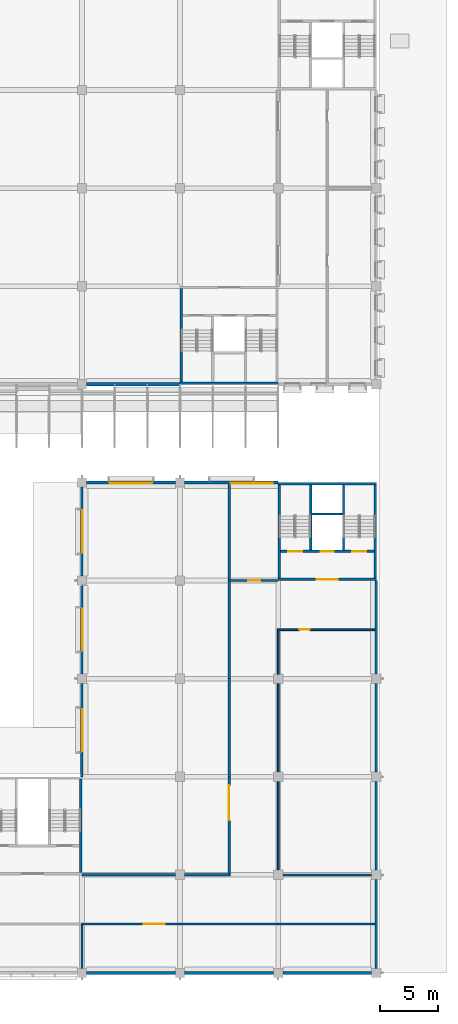
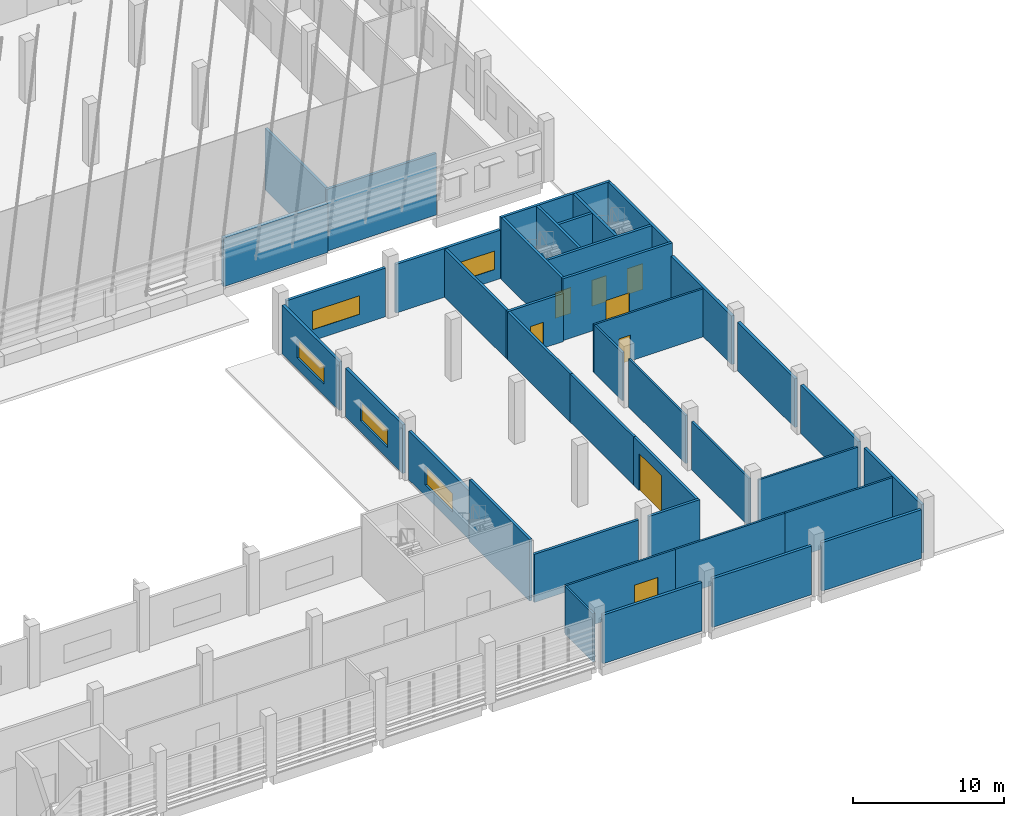
# One storey, part 39 of 101: 40 walls, 8 doors, 5 windows, 13 openings.
"""IFC4 building model written with IfcOpenShell, lengths in metres."""

from ifc_helpers import new_model, si_unit, direction, frame, frame_2d, origin, place, context, subcontext, project, spatial, rectangle, extrude, material, layer, layer_set, type_object, element, fill, save


model = new_model("IFC4")

# Units and contexts
model_context = context("Model", 3, precision=1e-05, world=origin(), true_north=direction((0.0, 1.0)))
body_context = subcontext(model_context, "Body", "Model", "MODEL_VIEW")
ifc_project = project(units=[si_unit("LENGTHUNIT", "METRE"), si_unit("AREAUNIT", "SQUARE_METRE"), si_unit("VOLUMEUNIT", "CUBIC_METRE"), si_unit("PLANEANGLEUNIT", "RADIAN"), si_unit("MASSUNIT", "GRAM", prefix="KILO")], contexts=[model_context])

# Site, building, storey
site_placement = place(None, origin())
site = spatial("IfcSite", under=ifc_project, at=site_placement, CompositionType="ELEMENT")
building_placement = place(site_placement, origin())
building = spatial("IfcBuilding", under=site, at=building_placement, Name="Almond Square Museum", CompositionType="ELEMENT")
storey_placement = place(building_placement, frame((0.0, 0.0, 5.5)))
storey = spatial("IfcBuildingStorey", under=building, at=storey_placement, Name="L01", CompositionType="ELEMENT", Elevation=5.5)

# Walls
ifc_material_1 = material(Name="Concrete C30/37", Category="concrete")
ifc_layer_1 = layer(ifc_material_1, 0.300048828125)
ifc_layer_set_1 = layer_set([ifc_layer_1], Name="Concrete C30/37")
wall_type_1 = type_object("IfcWallType", Name="Cast concrete wall 300 C30/37 behind louvre skin", PredefinedType="SOLIDWALL", material=ifc_layer_set_1)
wall_1_placement = place(storey_placement, frame((132.39990234375, 50.39990234375, 0.0), z_axis=(0.0, 0.0, 1.0), x_axis=(1.0, 0.0, 0.0)))
element("IfcWall", 1, at=wall_1_placement, inside=storey, type_object=wall_type_1, Name="External wall W1 V1 L01 S03", PredefinedType="SOLIDWALL", context=body_context, shape_type="SweptSolid", body=[
    extrude(rectangle(XDim=8.0, YDim=0.300048828125, at=frame_2d((4.0, 0.0))), origin(), (0.0, 0.0, 1.0), 3.93994140625),
])
ifc_material_2 = material(Name="Concrete blockwork 200", Category="masonry")
ifc_layer_2 = layer(ifc_material_2, 0.199951171875)
ifc_layer_set_2 = layer_set([ifc_layer_2], Name="Concrete blockwork 200")
wall_type_2 = type_object("IfcWallType", Name="Fire partition 200 blockwork", PredefinedType="PARTITIONING", material=ifc_layer_set_2)
wall_2_placement = place(storey_placement, frame((144.60009765625, 33.699951171875, 0.0), z_axis=(0.0, 0.0, 1.0), x_axis=(0.0, 1.0, 0.0)))
element("IfcWall", 2, at=wall_2_placement, inside=storey, type_object=wall_type_2, Name="L01 partition 63", PredefinedType="PARTITIONING", context=body_context, shape_type="SweptSolid", body=[
    extrude(rectangle(XDim=8.150146484375, YDim=0.199951171875, at=frame_2d((4.0751953125, 0.0))), origin(), (0.0, 0.0, 1.0), 3.89990234375),
])

# Wall, opening, door
wall_3_placement = place(storey_placement, frame((144.5, 33.60009765625, 0.0), z_axis=(0.0, 0.0, 1.0), x_axis=(1.0, 0.0, 0.0)))
wall_3 = element("IfcWall", 3, at=wall_3_placement, inside=storey, type_object=wall_type_2, Name="L01 partition 64", PredefinedType="PARTITIONING", context=body_context, shape_type="SweptSolid", body=[
    extrude(rectangle(XDim=4.300048828125, YDim=0.199951171875, at=frame_2d((2.14990234375, 0.0))), origin(), (0.0, 0.0, 1.0), 3.89990234375),
])
opening_1_placement = place(wall_3_placement, frame((1.75, 0.0, 0.0)))
opening_1 = element("IfcOpeningElement", 4, at=opening_1_placement, cuts=wall_3, Name="Opening D1119", PredefinedType="OPENING", context=body_context, shape_type="SweptSolid", body=[
    extrude(rectangle(XDim=1.0, YDim=2.10009765625, at=frame_2d((0.5, 1.050048828125))), frame((0.0, 0.10986328125, 0.0), z_axis=(0.0, -1.0, 0.0), x_axis=(1.0, 0.0, 0.0)), (0.0, 0.0, 1.0), 0.219970703125),
])
ifc_material_3 = material(Name="Steel", Category="steel")
door_type_1 = type_object("IfcDoorType", Name="Fire door 1000 x 2100 FD60 single", OperationType="NOTDEFINED", PredefinedType="DOOR", material=ifc_material_3)
door_1_placement = place(opening_1_placement, origin())
door_1 = element("IfcDoor", 5, at=door_1_placement, inside=storey, type_object=door_type_1, Name="L01 door Cleaners' Store 2 to Service Corridor 1", OperationType="SINGLE_SWING_RIGHT", OverallHeight=2.10009765625, OverallWidth=1.0, PredefinedType="DOOR", context=body_context, shape_type="SweptSolid", body=[
    extrude(rectangle(XDim=1.0, YDim=2.10009765625, at=frame_2d((0.5, 1.050048828125))), frame((0.0, 0.02490234375, 0.0), z_axis=(0.0, -1.0, 0.0), x_axis=(1.0, 0.0, 0.0)), (0.0, 0.0, 1.0), 0.050048828125),
])
fill(opening_1, door_1)

wall_4_placement = place(storey_placement, frame((144.60009765625, 8.5, 0.0), z_axis=(0.0, 0.0, 1.0), x_axis=(0.0, 1.0, 0.0)))
wall_4 = element("IfcWall", 6, at=wall_4_placement, inside=storey, type_object=wall_type_2, Name="L01 partition 66", PredefinedType="PARTITIONING", context=body_context, shape_type="SweptSolid", body=[
    extrude(rectangle(XDim=8.300048828125, YDim=0.199951171875, at=frame_2d((4.14990234375, 0.0))), origin(), (0.0, 0.0, 1.0), 3.89990234375),
])
opening_2_placement = place(wall_4_placement, frame((4.574951171875, 0.0, 0.0)))
opening_2 = element("IfcOpeningElement", 7, at=opening_2_placement, cuts=wall_4, Name="Opening D1121", PredefinedType="OPENING", context=body_context, shape_type="SweptSolid", body=[
    extrude(rectangle(XDim=3.0, YDim=3.0, at=frame_2d((1.5, 1.5))), frame((0.0, 0.10986328125, 0.0), z_axis=(0.0, -1.0, 0.0), x_axis=(1.0, 0.0, 0.0)), (0.0, 0.0, 1.0), 0.219970703125),
])
ifc_material_4 = material(Name="Steel", Category="steel")
door_type_2 = type_object("IfcDoorType", Name="Dock door 3000 x 3000 steel double", OperationType="NOTDEFINED", PredefinedType="DOOR", material=ifc_material_4)
door_2_placement = place(opening_2_placement, origin())
door_2 = element("IfcDoor", 8, at=door_2_placement, inside=storey, type_object=door_type_2, Name="L01 door Archive to Service Corridor 1", OperationType="DOUBLE_DOOR_SINGLE_SWING", OverallHeight=3.0, OverallWidth=3.0, PredefinedType="DOOR", context=body_context, shape_type="SweptSolid", body=[
    extrude(rectangle(XDim=3.0, YDim=3.0, at=frame_2d((1.5, 1.5))), frame((0.0, 0.02490234375, 0.0), z_axis=(0.0, -1.0, 0.0), x_axis=(1.0, 0.0, 0.0)), (0.0, 0.0, 1.0), 0.050048828125),
])
fill(opening_2, door_2)

# Walls
wall_5_placement = place(storey_placement, frame((144.60009765625, 16.800048828125, 0.0), z_axis=(0.0, 0.0, 1.0), x_axis=(0.0, 1.0, 0.0)))
element("IfcWall", 9, at=wall_5_placement, inside=storey, type_object=wall_type_2, Name="L01 partition 67", PredefinedType="PARTITIONING", context=body_context, shape_type="SweptSolid", body=[
    extrude(rectangle(XDim=8.39990234375, YDim=0.199951171875, at=frame_2d((4.199951171875, 0.0))), origin(), (0.0, 0.0, 1.0), 3.89990234375),
])
wall_6_placement = place(storey_placement, frame((144.60009765625, 25.199951171875, 0.0), z_axis=(0.0, 0.0, 1.0), x_axis=(0.0, 1.0, 0.0)))
element("IfcWall", 10, at=wall_6_placement, inside=storey, type_object=wall_type_2, Name="L01 partition 68", PredefinedType="PARTITIONING", context=body_context, shape_type="SweptSolid", body=[
    extrude(rectangle(XDim=8.300048828125, YDim=0.199951171875, at=frame_2d((4.14990234375, 0.0))), origin(), (0.0, 0.0, 1.0), 3.89990234375),
])
wall_7_placement = place(storey_placement, frame((132.0, 8.39990234375, 0.0), z_axis=(0.0, 0.0, 1.0), x_axis=(1.0, 0.0, 0.0)))
element("IfcWall", 11, at=wall_7_placement, inside=storey, type_object=wall_type_2, Name="L01 partition 69", PredefinedType="PARTITIONING", context=body_context, shape_type="SweptSolid", body=[
    extrude(rectangle(XDim=8.0, YDim=0.199951171875, at=frame_2d((4.0, 0.0))), origin(), (0.0, 0.0, 1.0), 3.89990234375),
])
wall_8_placement = place(storey_placement, frame((140.800048828125, 8.39990234375, 0.0), z_axis=(0.0, 0.0, 1.0), x_axis=(1.0, 0.0, 0.0)))
element("IfcWall", 12, at=wall_8_placement, inside=storey, type_object=wall_type_2, Name="L01 partition 70", PredefinedType="PARTITIONING", context=body_context, shape_type="SweptSolid", body=[
    extrude(rectangle(XDim=3.89990234375, YDim=0.199951171875, at=frame_2d((1.949951171875, 0.0))), origin(), (0.0, 0.0, 1.0), 3.89990234375),
])

# Wall, opening, door
ifc_material_5 = material(Name="Plasterboard on steel stud", Category="steel")
ifc_layer_3 = layer(ifc_material_5, 0.14990234375)
ifc_layer_set_3 = layer_set([ifc_layer_3], Name="Plasterboard on steel stud")
wall_type_3 = type_object("IfcWallType", Name="Partition 150 plasterboard on steel stud", PredefinedType="PARTITIONING", material=ifc_layer_set_3)
wall_9_placement = place(storey_placement, frame((148.72509765625, 29.39990234375, 0.0), z_axis=(0.0, 0.0, 1.0), x_axis=(1.0, 0.0, 0.0)))
wall_9 = element("IfcWall", 13, at=wall_9_placement, inside=storey, type_object=wall_type_3, Name="L01 partition 73", PredefinedType="PARTITIONING", context=body_context, shape_type="SweptSolid", body=[
    extrude(rectangle(XDim=8.324951171875, YDim=0.14990234375, at=frame_2d((4.16259765625, 0.0))), origin(), (0.0, 0.0, 1.0), 3.89990234375),
])
opening_3_placement = place(wall_9_placement, frame((1.887451171875, 0.0, 0.0)))
opening_3 = element("IfcOpeningElement", 14, at=opening_3_placement, cuts=wall_9, Name="Opening D1123", PredefinedType="OPENING", context=body_context, shape_type="SweptSolid", body=[
    extrude(rectangle(XDim=0.89990234375, YDim=2.10009765625, at=frame_2d((0.449951171875, 1.050048828125))), frame((0.0, 0.0849609375, 0.0), z_axis=(0.0, -1.0, 0.0), x_axis=(1.0, 0.0, 0.0)), (0.0, 0.0, 1.0), 0.169921875),
])
ifc_material_6 = material(Name="Timber", Category="wood")
door_type_3 = type_object("IfcDoorType", Name="Door 900 x 2100 timber single", OperationType="NOTDEFINED", PredefinedType="DOOR", material=ifc_material_6)
door_3_placement = place(opening_3_placement, origin())
door_3 = element("IfcDoor", 15, at=door_3_placement, inside=storey, type_object=door_type_3, Name="L01 door Collections Study Room to Service Corridor 1", OperationType="SINGLE_SWING_LEFT", OverallHeight=2.10009765625, OverallWidth=0.89990234375, PredefinedType="DOOR", context=body_context, shape_type="SweptSolid", body=[
    extrude(rectangle(XDim=0.89990234375, YDim=2.10009765625, at=frame_2d((0.449951171875, 1.050048828125))), frame((0.0, 0.02490234375, 0.0), z_axis=(0.0, -1.0, 0.0), x_axis=(1.0, 0.0, 0.0)), (0.0, 0.0, 1.0), 0.050048828125),
])
fill(opening_3, door_3)

# Walls
wall_10_placement = place(storey_placement, frame((149.199951171875, 8.39990234375, 0.0), z_axis=(0.0, 0.0, 1.0), x_axis=(1.0, 0.0, 0.0)))
element("IfcWall", 16, at=wall_10_placement, inside=storey, type_object=wall_type_3, Name="L01 partition 74", PredefinedType="PARTITIONING", context=body_context, shape_type="SweptSolid", body=[
    extrude(rectangle(XDim=7.60009765625, YDim=0.14990234375, at=frame_2d((3.800048828125, 0.0))), origin(), (0.0, 0.0, 1.0), 3.89990234375),
])
wall_11_placement = place(storey_placement, frame((148.800048828125, 8.800048828125, 0.0), z_axis=(0.0, 0.0, 1.0), x_axis=(0.0, 1.0, 0.0)))
element("IfcWall", 17, at=wall_11_placement, inside=storey, type_object=wall_type_3, Name="L01 partition 75", PredefinedType="PARTITIONING", context=body_context, shape_type="SweptSolid", body=[
    extrude(rectangle(XDim=7.599853515625, YDim=0.14990234375, at=frame_2d((3.7998046875, 0.0))), origin(), (0.0, 0.0, 1.0), 3.89990234375),
])
wall_12_placement = place(storey_placement, frame((148.800048828125, 17.199951171875, 0.0), z_axis=(0.0, 0.0, 1.0), x_axis=(0.0, 1.0, 0.0)))
element("IfcWall", 18, at=wall_12_placement, inside=storey, type_object=wall_type_3, Name="L01 partition 76", PredefinedType="PARTITIONING", context=body_context, shape_type="SweptSolid", body=[
    extrude(rectangle(XDim=7.60009765625, YDim=0.14990234375, at=frame_2d((3.800048828125, 0.0))), origin(), (0.0, 0.0, 1.0), 3.89990234375),
])
wall_13_placement = place(storey_placement, frame((148.800048828125, 25.60009765625, 0.0), z_axis=(0.0, 0.0, 1.0), x_axis=(0.0, 1.0, 0.0)))
element("IfcWall", 19, at=wall_13_placement, inside=storey, type_object=wall_type_3, Name="L01 partition 77", PredefinedType="PARTITIONING", context=body_context, shape_type="SweptSolid", body=[
    extrude(rectangle(XDim=3.724853515625, YDim=0.14990234375, at=frame_2d((1.8623046875, 0.0))), origin(), (0.0, 0.0, 1.0), 3.89990234375),
])

# Wall, opening, door
wall_14_placement = place(storey_placement, frame((132.0, 4.199951171875, 0.0), z_axis=(0.0, 0.0, 1.0), x_axis=(1.0, 0.0, 0.0)))
wall_14 = element("IfcWall", 20, at=wall_14_placement, inside=storey, type_object=wall_type_3, Name="L01 partition 98", PredefinedType="PARTITIONING", context=body_context, shape_type="SweptSolid", body=[
    extrude(rectangle(XDim=8.39990234375, YDim=0.14990234375, at=frame_2d((4.199951171875, 0.0))), origin(), (0.0, 0.0, 1.0), 3.89990234375),
])
opening_4_placement = place(wall_14_placement, frame((5.27490234375, 0.0, 0.0)))
opening_4 = element("IfcOpeningElement", 21, at=opening_4_placement, cuts=wall_14, Name="Opening D1140", PredefinedType="OPENING", context=body_context, shape_type="SweptSolid", body=[
    extrude(rectangle(XDim=1.800048828125, YDim=2.10009765625, at=frame_2d((0.89990234375, 1.050048828125))), frame((0.0, 0.0849609375, 0.0), z_axis=(0.0, -1.0, 0.0), x_axis=(1.0, 0.0, 0.0)), (0.0, 0.0, 1.0), 0.169921875),
])
ifc_material_7 = material(Name="Timber", Category="wood")
door_type_4 = type_object("IfcDoorType", Name="Door 1800 x 2100 timber double", OperationType="NOTDEFINED", PredefinedType="DOOR", material=ifc_material_7)
door_4_placement = place(opening_4_placement, origin())
door_4 = element("IfcDoor", 22, at=door_4_placement, inside=storey, type_object=door_type_4, Name="L01 door Conservation Workshop to Service Corridor 1", OperationType="DOUBLE_DOOR_SINGLE_SWING", OverallHeight=2.10009765625, OverallWidth=1.800048828125, PredefinedType="DOOR", context=body_context, shape_type="SweptSolid", body=[
    extrude(rectangle(XDim=1.800048828125, YDim=2.10009765625, at=frame_2d((0.89990234375, 1.050048828125))), frame((0.0, 0.02490234375, 0.0), z_axis=(0.0, -1.0, 0.0), x_axis=(1.0, 0.0, 0.0)), (0.0, 0.0, 1.0), 0.050048828125),
])
fill(opening_4, door_4)

# Walls
wall_15_placement = place(storey_placement, frame((140.39990234375, 4.199951171875, 0.0), z_axis=(0.0, 0.0, 1.0), x_axis=(1.0, 0.0, 0.0)))
element("IfcWall", 23, at=wall_15_placement, inside=storey, type_object=wall_type_3, Name="L01 partition 99", PredefinedType="PARTITIONING", context=body_context, shape_type="SweptSolid", body=[
    extrude(rectangle(XDim=8.400146484375, YDim=0.14990234375, at=frame_2d((4.2001953125, 0.0))), origin(), (0.0, 0.0, 1.0), 3.89990234375),
])
wall_16_placement = place(storey_placement, frame((148.800048828125, 4.199951171875, 0.0), z_axis=(0.0, 0.0, 1.0), x_axis=(1.0, 0.0, 0.0)))
element("IfcWall", 24, at=wall_16_placement, inside=storey, type_object=wall_type_3, Name="L01 partition 100", PredefinedType="PARTITIONING", context=body_context, shape_type="SweptSolid", body=[
    extrude(rectangle(XDim=8.25, YDim=0.14990234375, at=frame_2d((4.125, 0.0))), origin(), (0.0, 0.0, 1.0), 3.89990234375),
])
wall_17_placement = place(storey_placement, frame((132.0, 0.39990234375, 0.0), z_axis=(0.0, 0.0, 1.0), x_axis=(0.0, 1.0, 0.0)))
element("IfcWall", 25, at=wall_17_placement, inside=storey, type_object=wall_type_3, Name="L01 partition 119", PredefinedType="PARTITIONING", context=body_context, shape_type="SweptSolid", body=[
    extrude(rectangle(XDim=3.72509765625, YDim=0.14990234375, at=frame_2d((1.862548828125, 0.0))), origin(), (0.0, 0.0, 1.0), 3.89990234375),
])
ifc_material_8 = material(Name="Concrete C40/50", Category="concrete")
ifc_layer_4 = layer(ifc_material_8, 0.199951171875)
ifc_layer_set_4 = layer_set([ifc_layer_4], Name="Concrete C40/50")
wall_type_4 = type_object("IfcWallType", Name="RC shear wall 200 C40/50", PredefinedType="SHEAR", material=ifc_layer_set_4)
wall_18_placement = place(storey_placement, frame((140.39990234375, 50.5, 0.0), z_axis=(0.0, 0.0, 1.0), x_axis=(1.0, 0.0, 0.0)))
element("IfcWall", 26, at=wall_18_placement, inside=storey, type_object=wall_type_4, Name="Core H2 south wall L01", PredefinedType="SHEAR", context=body_context, shape_type="SweptSolid", body=[
    extrude(rectangle(XDim=8.400146484375, YDim=0.199951171875, at=frame_2d((4.2001953125, 0.0))), origin(), (0.0, 0.0, 1.0), 5.0),
])
for number, where, z_axis, x_axis, name in (
    (27, (140.5, 50.60009765625, 0.0), (0.0, 0.0, 1.0), (0.0, 1.0, 0.0), "Core H2 west wall L01"),
    (28, (131.89990234375, 8.60009765625, 0.0), (0.0, 0.0, 1.0), (0.0, 1.0, 0.0), "Core S3 east wall L01"),
):
    element("IfcWall", number, at=place(storey_placement, frame(where, z_axis=z_axis, x_axis=x_axis)), inside=storey, type_object=wall_type_4, Name=name, PredefinedType="SHEAR", context=body_context, shape_type="SweptSolid", body=[
        extrude(rectangle(XDim=8.0, YDim=0.199951171875, at=frame_2d((4.0, 0.0))), origin(), (0.0, 0.0, 1.0), 5.0),
    ])

# Wall, opening, door
wall_19_placement = place(storey_placement, frame((148.800048828125, 33.699951171875, 0.0), z_axis=(0.0, 0.0, 1.0), x_axis=(1.0, 0.0, 0.0)))
wall_19 = element("IfcWall", 29, at=wall_19_placement, inside=storey, type_object=wall_type_4, Name="Core X1 south wall L01", PredefinedType="SHEAR", context=body_context, shape_type="SweptSolid", body=[
    extrude(rectangle(XDim=8.39990234375, YDim=0.199951171875, at=frame_2d((4.199951171875, 0.0))), origin(), (0.0, 0.0, 1.0), 5.0),
])
opening_5_placement = place(wall_19_placement, frame((3.300048828125, 0.0, 0.0)))
opening_5 = element("IfcOpeningElement", 30, at=opening_5_placement, cuts=wall_19, Name="Opening D1207", PredefinedType="OPENING", context=body_context, shape_type="SweptSolid", body=[
    extrude(rectangle(XDim=1.800048828125, YDim=2.10009765625, at=frame_2d((0.89990234375, 1.050048828125))), frame((0.0, 0.10986328125, 0.0), z_axis=(0.0, -1.0, 0.0), x_axis=(1.0, 0.0, 0.0)), (0.0, 0.0, 1.0), 0.219970703125),
])
ifc_material_9 = material(Name="Steel", Category="steel")
door_type_5 = type_object("IfcDoorType", Name="Fire door 1800 x 2100 FD60 double", OperationType="NOTDEFINED", PredefinedType="DOOR", material=ifc_material_9)
door_5_placement = place(opening_5_placement, origin())
door_5 = element("IfcDoor", 31, at=door_5_placement, inside=storey, type_object=door_type_5, Name="L01 stair core X1 lobby door", OperationType="DOUBLE_DOOR_SINGLE_SWING", OverallHeight=2.10009765625, OverallWidth=1.800048828125, PredefinedType="DOOR", context=body_context, shape_type="SweptSolid", body=[
    extrude(rectangle(XDim=1.800048828125, YDim=2.10009765625, at=frame_2d((0.89990234375, 1.050048828125))), frame((0.0, 0.02490234375, 0.0), z_axis=(0.0, -1.0, 0.0), x_axis=(1.0, 0.0, 0.0)), (0.0, 0.0, 1.0), 0.050048828125),
])
fill(opening_5, door_5)

# Walls
wall_20_placement = place(storey_placement, frame((148.800048828125, 41.89990234375, 0.0), z_axis=(0.0, 0.0, 1.0), x_axis=(1.0, 0.0, 0.0)))
element("IfcWall", 32, at=wall_20_placement, inside=storey, type_object=wall_type_4, Name="Core X1 north wall L01", PredefinedType="SHEAR", context=body_context, shape_type="SweptSolid", body=[
    extrude(rectangle(XDim=8.39990234375, YDim=0.199951171875, at=frame_2d((4.199951171875, 0.0))), origin(), (0.0, 0.0, 1.0), 5.0),
])
for number, where, z_axis, x_axis, name in (
    (33, (148.89990234375, 33.800048828125, 0.0), (0.0, 0.0, 1.0), (0.0, 1.0, 0.0), "Core X1 west wall L01"),
    (34, (157.10009765625, 33.800048828125, 0.0), (0.0, 0.0, 1.0), (0.0, 1.0, 0.0), "Core X1 east wall L01"),
):
    element("IfcWall", number, at=place(storey_placement, frame(where, z_axis=z_axis, x_axis=x_axis)), inside=storey, type_object=wall_type_4, Name=name, PredefinedType="SHEAR", context=body_context, shape_type="SweptSolid", body=[
        extrude(rectangle(XDim=8.0, YDim=0.199951171875, at=frame_2d((4.0, 0.0))), origin(), (0.0, 0.0, 1.0), 5.0),
    ])

# Wall, openings, doors
wall_21_placement = place(storey_placement, frame((149.0, 36.10009765625, 0.0), z_axis=(0.0, 0.0, 1.0), x_axis=(1.0, 0.0, 0.0)))
wall_21 = element("IfcWall", 35, at=wall_21_placement, inside=storey, type_object=wall_type_4, Name="Core X1 lobby wall L01", PredefinedType="SHEAR", context=body_context, shape_type="SweptSolid", body=[
    extrude(rectangle(XDim=8.0, YDim=0.199951171875, at=frame_2d((4.0, 0.0))), origin(), (0.0, 0.0, 1.0), 5.0),
])
opening_6_placement = place(wall_21_placement, frame((0.64990234375, 0.0, 0.0)))
opening_6 = element("IfcOpeningElement", 36, at=opening_6_placement, cuts=wall_21, Name="Opening D1208", PredefinedType="OPENING", context=body_context, shape_type="SweptSolid", body=[
    extrude(rectangle(XDim=1.199951171875, YDim=2.10009765625, at=frame_2d((0.60009765625, 1.050048828125))), frame((0.0, 0.10986328125, 0.0), z_axis=(0.0, -1.0, 0.0), x_axis=(1.0, 0.0, 0.0)), (0.0, 0.0, 1.0), 0.219970703125),
])
opening_7_placement = place(wall_21_placement, frame((6.14990234375, 0.0, 0.0)))
opening_7 = element("IfcOpeningElement", 37, at=opening_7_placement, cuts=wall_21, Name="Opening D1209", PredefinedType="OPENING", context=body_context, shape_type="SweptSolid", body=[
    extrude(rectangle(XDim=1.199951171875, YDim=2.10009765625, at=frame_2d((0.60009765625, 1.050048828125))), frame((0.0, 0.10986328125, 0.0), z_axis=(0.0, -1.0, 0.0), x_axis=(1.0, 0.0, 0.0)), (0.0, 0.0, 1.0), 0.219970703125),
])
opening_8_placement = place(wall_21_placement, frame((3.449951171875, 0.0, 0.0)))
opening_8 = element("IfcOpeningElement", 38, at=opening_8_placement, cuts=wall_21, Name="Opening D1210", PredefinedType="OPENING", context=body_context, shape_type="SweptSolid", body=[
    extrude(rectangle(XDim=1.10009765625, YDim=2.10009765625, at=frame_2d((0.550048828125, 1.050048828125))), frame((0.0, 0.10986328125, 0.0), z_axis=(0.0, -1.0, 0.0), x_axis=(1.0, 0.0, 0.0)), (0.0, 0.0, 1.0), 0.219970703125),
])
ifc_material_10 = material(Name="Steel", Category="steel")
door_type_6 = type_object("IfcDoorType", Name="Fire door 1200 x 2100 FD120 stair", OperationType="NOTDEFINED", PredefinedType="DOOR", material=ifc_material_10)
door_6_placement = place(opening_6_placement, origin())
door_6 = element("IfcDoor", 39, at=door_6_placement, inside=storey, type_object=door_type_6, Name="L01 stair X1-1 door", OperationType="SINGLE_SWING_LEFT", OverallHeight=2.10009765625, OverallWidth=1.199951171875, PredefinedType="DOOR", context=body_context, shape_type="SweptSolid", body=[
    extrude(rectangle(XDim=1.199951171875, YDim=2.10009765625, at=frame_2d((0.60009765625, 1.050048828125))), frame((0.0, 0.02490234375, 0.0), z_axis=(0.0, -1.0, 0.0), x_axis=(1.0, 0.0, 0.0)), (0.0, 0.0, 1.0), 0.050048828125),
])
fill(opening_6, door_6)
door_7_placement = place(opening_7_placement, origin())
door_7 = element("IfcDoor", 40, at=door_7_placement, inside=storey, type_object=door_type_6, Name="L01 stair X1-2 door", OperationType="SINGLE_SWING_RIGHT", OverallHeight=2.10009765625, OverallWidth=1.199951171875, PredefinedType="DOOR", context=body_context, shape_type="SweptSolid", body=[
    extrude(rectangle(XDim=1.199951171875, YDim=2.10009765625, at=frame_2d((0.60009765625, 1.050048828125))), frame((0.0, 0.02490234375, 0.0), z_axis=(0.0, -1.0, 0.0), x_axis=(1.0, 0.0, 0.0)), (0.0, 0.0, 1.0), 0.050048828125),
])
fill(opening_7, door_7)
ifc_material_11 = material(Name="Stainless steel", Category="steel")
door_type_7 = type_object("IfcDoorType", Name="Lift landing door 1100 x 2100", OperationType="NOTDEFINED", PredefinedType="DOOR", material=ifc_material_11)
door_8_placement = place(opening_8_placement, origin())
door_8 = element("IfcDoor", 41, at=door_8_placement, inside=storey, type_object=door_type_7, Name="L01 lift PL-X1 landing door", OperationType="DOUBLE_DOOR_SLIDING", OverallHeight=2.10009765625, OverallWidth=1.10009765625, PredefinedType="DOOR", context=body_context, shape_type="SweptSolid", body=[
    extrude(rectangle(XDim=1.10009765625, YDim=2.10009765625, at=frame_2d((0.550048828125, 1.050048828125))), frame((0.0, 0.02490234375, 0.0), z_axis=(0.0, -1.0, 0.0), x_axis=(1.0, 0.0, 0.0)), (0.0, 0.0, 1.0), 0.050048828125),
])
fill(opening_8, door_8)

# Walls
for number, where, z_axis, x_axis, name in (
    (42, (151.60009765625, 36.199951171875, 0.0), (0.0, 0.0, 1.0), (0.0, 1.0, 0.0), "Core X1 partition wall L01"),
    (43, (154.39990234375, 36.199951171875, 0.0), (0.0, 0.0, 1.0), (0.0, 1.0, 0.0), "Core X1 partition wall L01"),
):
    element("IfcWall", number, at=place(storey_placement, frame(where, z_axis=z_axis, x_axis=x_axis)), inside=storey, type_object=wall_type_4, Name=name, PredefinedType="SHEAR", context=body_context, shape_type="SweptSolid", body=[
        extrude(rectangle(XDim=5.60009765625, YDim=0.199951171875, at=frame_2d((2.800048828125, 0.0))), origin(), (0.0, 0.0, 1.0), 5.0),
    ])
wall_22_placement = place(storey_placement, frame((151.699951171875, 39.300048828125, 0.0), z_axis=(0.0, 0.0, 1.0), x_axis=(1.0, 0.0, 0.0)))
element("IfcWall", 44, at=wall_22_placement, inside=storey, type_object=wall_type_4, Name="Core X1 partition wall L01", PredefinedType="SHEAR", context=body_context, shape_type="SweptSolid", body=[
    extrude(rectangle(XDim=2.60009765625, YDim=0.199951171875, at=frame_2d((1.300048828125, 0.0))), origin(), (0.0, 0.0, 1.0), 5.0),
])
ifc_material_12 = material(Name="Concrete C30/37", Category="concrete")
ifc_layer_5 = layer(ifc_material_12, 0.219970703125)
ifc_layer_set_5 = layer_set([ifc_layer_5], Name="Concrete C30/37")
wall_type_5 = type_object("IfcWallType", Name="Stucco panel wall 220 with insulation", PredefinedType="SOLIDWALL", material=ifc_layer_set_5)
wall_23_placement = place(storey_placement, frame((132.39990234375, 0.0, 0.0), z_axis=(0.0, 0.0, 1.0), x_axis=(1.0, 0.0, 0.0)))
element("IfcWall", 45, at=wall_23_placement, inside=storey, type_object=wall_type_5, Name="External wall W4 V5E L01 S01", PredefinedType="SOLIDWALL", context=body_context, shape_type="SweptSolid", body=[
    extrude(rectangle(XDim=7.60009765625, YDim=0.219970703125, at=frame_2d((3.800048828125, 0.0))), origin(), (0.0, 0.0, 1.0), 3.93994140625),
])
wall_24_placement = place(storey_placement, frame((140.800048828125, 0.0, 0.0), z_axis=(0.0, 0.0, 1.0), x_axis=(1.0, 0.0, 0.0)))
element("IfcWall", 46, at=wall_24_placement, inside=storey, type_object=wall_type_5, Name="External wall W4 V5E L01 S02", PredefinedType="SOLIDWALL", context=body_context, shape_type="SweptSolid", body=[
    extrude(rectangle(XDim=7.599853515625, YDim=0.219970703125, at=frame_2d((3.7998046875, 0.0))), origin(), (0.0, 0.0, 1.0), 3.93994140625),
])
for number, where, z_axis, x_axis, name in (
    (47, (149.199951171875, 0.0, 0.0), (0.0, 0.0, 1.0), (1.0, 0.0, 0.0), "External wall W4 V5E L01 S03"),
    (48, (157.199951171875, 0.39990234375, 0.0), (0.0, 0.0, 1.0), (0.0, 1.0, 0.0), "External wall W4 V5E L01 E01"),
):
    element("IfcWall", number, at=place(storey_placement, frame(where, z_axis=z_axis, x_axis=x_axis)), inside=storey, type_object=wall_type_5, Name=name, PredefinedType="SOLIDWALL", context=body_context, shape_type="SweptSolid", body=[
        extrude(rectangle(XDim=7.60009765625, YDim=0.219970703125, at=frame_2d((3.800048828125, 0.0))), origin(), (0.0, 0.0, 1.0), 3.93994140625),
    ])
wall_25_placement = place(storey_placement, frame((157.199951171875, 8.800048828125, 0.0), z_axis=(0.0, 0.0, 1.0), x_axis=(0.0, 1.0, 0.0)))
element("IfcWall", 49, at=wall_25_placement, inside=storey, type_object=wall_type_5, Name="External wall W4 V5E L01 E02", PredefinedType="SOLIDWALL", context=body_context, shape_type="SweptSolid", body=[
    extrude(rectangle(XDim=7.599853515625, YDim=0.219970703125, at=frame_2d((3.7998046875, 0.0))), origin(), (0.0, 0.0, 1.0), 3.93994140625),
])
wall_26_placement = place(storey_placement, frame((157.199951171875, 17.199951171875, 0.0), z_axis=(0.0, 0.0, 1.0), x_axis=(0.0, 1.0, 0.0)))
element("IfcWall", 50, at=wall_26_placement, inside=storey, type_object=wall_type_5, Name="External wall W4 V5E L01 E03", PredefinedType="SOLIDWALL", context=body_context, shape_type="SweptSolid", body=[
    extrude(rectangle(XDim=7.60009765625, YDim=0.219970703125, at=frame_2d((3.800048828125, 0.0))), origin(), (0.0, 0.0, 1.0), 3.93994140625),
])
wall_27_placement = place(storey_placement, frame((157.199951171875, 25.60009765625, 0.0), z_axis=(0.0, 0.0, 1.0), x_axis=(0.0, 1.0, 0.0)))
element("IfcWall", 51, at=wall_27_placement, inside=storey, type_object=wall_type_5, Name="External wall W4 V5E L01 E04", PredefinedType="SOLIDWALL", context=body_context, shape_type="SweptSolid", body=[
    extrude(rectangle(XDim=8.0, YDim=0.219970703125, at=frame_2d((4.0, 0.0))), origin(), (0.0, 0.0, 1.0), 3.93994140625),
])

# Wall, opening, window
wall_28_placement = place(storey_placement, frame((140.800048828125, 42.0, 0.0), z_axis=(0.0, 0.0, 1.0), x_axis=(1.0, 0.0, 0.0)))
wall_28 = element("IfcWall", 52, at=wall_28_placement, inside=storey, type_object=wall_type_5, Name="External wall W4 V5E L01 N01", PredefinedType="SOLIDWALL", context=body_context, shape_type="SweptSolid", body=[
    extrude(rectangle(XDim=8.0, YDim=0.219970703125, at=frame_2d((4.0, 0.0))), origin(), (0.0, 0.0, 1.0), 3.93994140625),
])
opening_9_placement = place(wall_28_placement, frame((3.949951171875, 0.0, 0.89990234375)))
opening_9 = element("IfcOpeningElement", 53, at=opening_9_placement, cuts=wall_28, Name="Opening W1001", PredefinedType="OPENING", context=body_context, shape_type="SweptSolid", body=[
    extrude(rectangle(XDim=3.60009765625, YDim=1.5, at=frame_2d((1.800048828125, 0.75))), frame((0.0, 0.119873046875, 0.0), z_axis=(0.0, -1.0, 0.0), x_axis=(1.0, 0.0, 0.0)), (0.0, 0.0, 1.0), 0.239990234375),
])
ifc_material_13 = material(Name="Aluminium frame and laminated glass", Category="aluminium")
window_type = type_object("IfcWindowType", Name="Office ribbon window", PartitioningType="SINGLE_PANEL", PredefinedType="WINDOW", material=ifc_material_13)
window_1_placement = place(opening_9_placement, origin())
window_1 = element("IfcWindow", 54, at=window_1_placement, inside=storey, type_object=window_type, Name="Office ribbon window W1001", OverallHeight=1.5, OverallWidth=3.60009765625, PartitioningType="DOUBLE_PANEL_VERTICAL", PredefinedType="WINDOW", context=body_context, shape_type="SweptSolid", body=[
    extrude(rectangle(XDim=3.60009765625, YDim=1.5, at=frame_2d((1.800048828125, 0.75))), frame((0.0, -0.030029296875, 0.0), z_axis=(0.0, -1.0, 0.0), x_axis=(1.0, 0.0, 0.0)), (0.0, 0.0, 1.0), 0.06005859375),
])
fill(opening_9, window_1)

wall_29_placement = place(storey_placement, frame((132.39990234375, 42.0, 0.0), z_axis=(0.0, 0.0, 1.0), x_axis=(1.0, 0.0, 0.0)))
wall_29 = element("IfcWall", 55, at=wall_29_placement, inside=storey, type_object=wall_type_5, Name="External wall W4 V5E L01 N02", PredefinedType="SOLIDWALL", context=body_context, shape_type="SweptSolid", body=[
    extrude(rectangle(XDim=7.60009765625, YDim=0.219970703125, at=frame_2d((3.800048828125, 0.0))), origin(), (0.0, 0.0, 1.0), 3.93994140625),
])
opening_10_placement = place(wall_29_placement, frame((2.0, 0.0, 0.89990234375)))
opening_10 = element("IfcOpeningElement", 56, at=opening_10_placement, cuts=wall_29, Name="Opening W1002", PredefinedType="OPENING", context=body_context, shape_type="SweptSolid", body=[
    extrude(rectangle(XDim=3.60009765625, YDim=1.5, at=frame_2d((1.800048828125, 0.75))), frame((0.0, 0.119873046875, 0.0), z_axis=(0.0, -1.0, 0.0), x_axis=(1.0, 0.0, 0.0)), (0.0, 0.0, 1.0), 0.239990234375),
])
window_2_placement = place(opening_10_placement, origin())
window_2 = element("IfcWindow", 57, at=window_2_placement, inside=storey, type_object=window_type, Name="Office ribbon window W1002", OverallHeight=1.5, OverallWidth=3.60009765625, PartitioningType="DOUBLE_PANEL_VERTICAL", PredefinedType="WINDOW", context=body_context, shape_type="SweptSolid", body=[
    extrude(rectangle(XDim=3.60009765625, YDim=1.5, at=frame_2d((1.800048828125, 0.75))), frame((0.0, -0.030029296875, 0.0), z_axis=(0.0, -1.0, 0.0), x_axis=(1.0, 0.0, 0.0)), (0.0, 0.0, 1.0), 0.06005859375),
])
fill(opening_10, window_2)

wall_30_placement = place(storey_placement, frame((132.0, 34.0, 0.0), z_axis=(0.0, 0.0, 1.0), x_axis=(0.0, 1.0, 0.0)))
wall_30 = element("IfcWall", 58, at=wall_30_placement, inside=storey, type_object=wall_type_5, Name="External wall W4 V5E L01 W01", PredefinedType="SOLIDWALL", context=body_context, shape_type="SweptSolid", body=[
    extrude(rectangle(XDim=7.60009765625, YDim=0.219970703125, at=frame_2d((3.800048828125, 0.0))), origin(), (0.0, 0.0, 1.0), 3.93994140625),
])
opening_11_placement = place(wall_30_placement, frame((2.0, 0.0, 0.89990234375)))
opening_11 = element("IfcOpeningElement", 59, at=opening_11_placement, cuts=wall_30, Name="Opening W1003", PredefinedType="OPENING", context=body_context, shape_type="SweptSolid", body=[
    extrude(rectangle(XDim=3.60009765625, YDim=1.5, at=frame_2d((1.800048828125, 0.75))), frame((0.0, 0.119873046875, 0.0), z_axis=(0.0, -1.0, 0.0), x_axis=(1.0, 0.0, 0.0)), (0.0, 0.0, 1.0), 0.239990234375),
])
window_3_placement = place(opening_11_placement, origin())
window_3 = element("IfcWindow", 60, at=window_3_placement, inside=storey, type_object=window_type, Name="Office ribbon window W1003", OverallHeight=1.5, OverallWidth=3.60009765625, PartitioningType="DOUBLE_PANEL_VERTICAL", PredefinedType="WINDOW", context=body_context, shape_type="SweptSolid", body=[
    extrude(rectangle(XDim=3.60009765625, YDim=1.5, at=frame_2d((1.800048828125, 0.75))), frame((0.0, -0.030029296875, 0.0), z_axis=(0.0, -1.0, 0.0), x_axis=(1.0, 0.0, 0.0)), (0.0, 0.0, 1.0), 0.06005859375),
])
fill(opening_11, window_3)

wall_31_placement = place(storey_placement, frame((132.0, 25.60009765625, 0.0), z_axis=(0.0, 0.0, 1.0), x_axis=(0.0, 1.0, 0.0)))
wall_31 = element("IfcWall", 61, at=wall_31_placement, inside=storey, type_object=wall_type_5, Name="External wall W4 V5E L01 W02", PredefinedType="SOLIDWALL", context=body_context, shape_type="SweptSolid", body=[
    extrude(rectangle(XDim=7.599853515625, YDim=0.219970703125, at=frame_2d((3.7998046875, 0.0))), origin(), (0.0, 0.0, 1.0), 3.93994140625),
])
opening_12_placement = place(wall_31_placement, frame((2.0, 0.0, 0.89990234375)))
opening_12 = element("IfcOpeningElement", 62, at=opening_12_placement, cuts=wall_31, Name="Opening W1004", PredefinedType="OPENING", context=body_context, shape_type="SweptSolid", body=[
    extrude(rectangle(XDim=3.60009765625, YDim=1.5, at=frame_2d((1.800048828125, 0.75))), frame((0.0, 0.119873046875, 0.0), z_axis=(0.0, -1.0, 0.0), x_axis=(1.0, 0.0, 0.0)), (0.0, 0.0, 1.0), 0.239990234375),
])
window_4_placement = place(opening_12_placement, origin())
window_4 = element("IfcWindow", 63, at=window_4_placement, inside=storey, type_object=window_type, Name="Office ribbon window W1004", OverallHeight=1.5, OverallWidth=3.60009765625, PartitioningType="DOUBLE_PANEL_VERTICAL", PredefinedType="WINDOW", context=body_context, shape_type="SweptSolid", body=[
    extrude(rectangle(XDim=3.60009765625, YDim=1.5, at=frame_2d((1.800048828125, 0.75))), frame((0.0, -0.030029296875, 0.0), z_axis=(0.0, -1.0, 0.0), x_axis=(1.0, 0.0, 0.0)), (0.0, 0.0, 1.0), 0.06005859375),
])
fill(opening_12, window_4)

wall_32_placement = place(storey_placement, frame((132.0, 16.800048828125, 0.0), z_axis=(0.0, 0.0, 1.0), x_axis=(0.0, 1.0, 0.0)))
wall_32 = element("IfcWall", 64, at=wall_32_placement, inside=storey, type_object=wall_type_5, Name="External wall W4 V5E L01 W03", PredefinedType="SOLIDWALL", context=body_context, shape_type="SweptSolid", body=[
    extrude(rectangle(XDim=8.0, YDim=0.219970703125, at=frame_2d((4.0, 0.0))), origin(), (0.0, 0.0, 1.0), 3.93994140625),
])
opening_13_placement = place(wall_32_placement, frame((2.199951171875, 0.0, 0.89990234375)))
opening_13 = element("IfcOpeningElement", 65, at=opening_13_placement, cuts=wall_32, Name="Opening W1005", PredefinedType="OPENING", context=body_context, shape_type="SweptSolid", body=[
    extrude(rectangle(XDim=3.60009765625, YDim=1.5, at=frame_2d((1.800048828125, 0.75))), frame((0.0, 0.119873046875, 0.0), z_axis=(0.0, -1.0, 0.0), x_axis=(1.0, 0.0, 0.0)), (0.0, 0.0, 1.0), 0.239990234375),
])
window_5_placement = place(opening_13_placement, origin())
window_5 = element("IfcWindow", 66, at=window_5_placement, inside=storey, type_object=window_type, Name="Office ribbon window W1005", OverallHeight=1.5, OverallWidth=3.60009765625, PartitioningType="DOUBLE_PANEL_VERTICAL", PredefinedType="WINDOW", context=body_context, shape_type="SweptSolid", body=[
    extrude(rectangle(XDim=3.60009765625, YDim=1.5, at=frame_2d((1.800048828125, 0.75))), frame((0.0, -0.030029296875, 0.0), z_axis=(0.0, -1.0, 0.0), x_axis=(1.0, 0.0, 0.0)), (0.0, 0.0, 1.0), 0.06005859375),
])
fill(opening_13, window_5)

save(model, "model.ifc")
